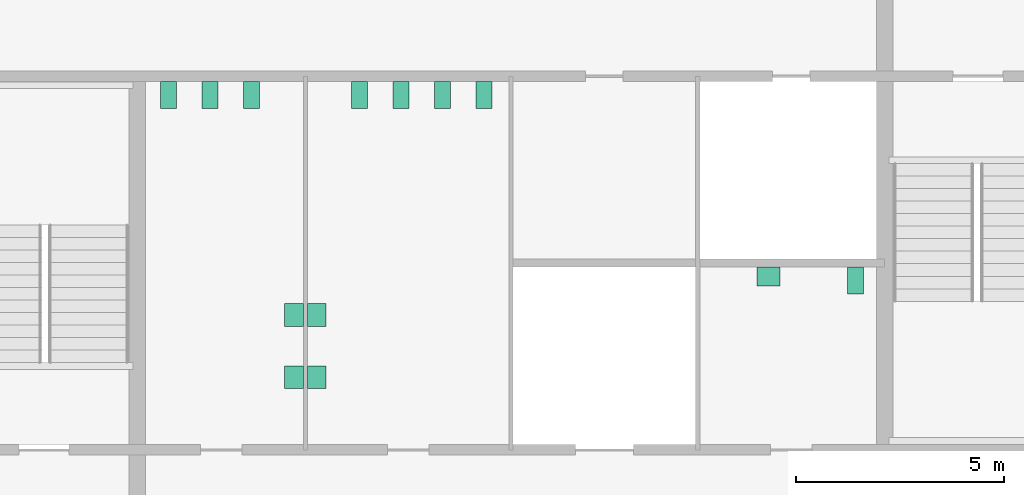
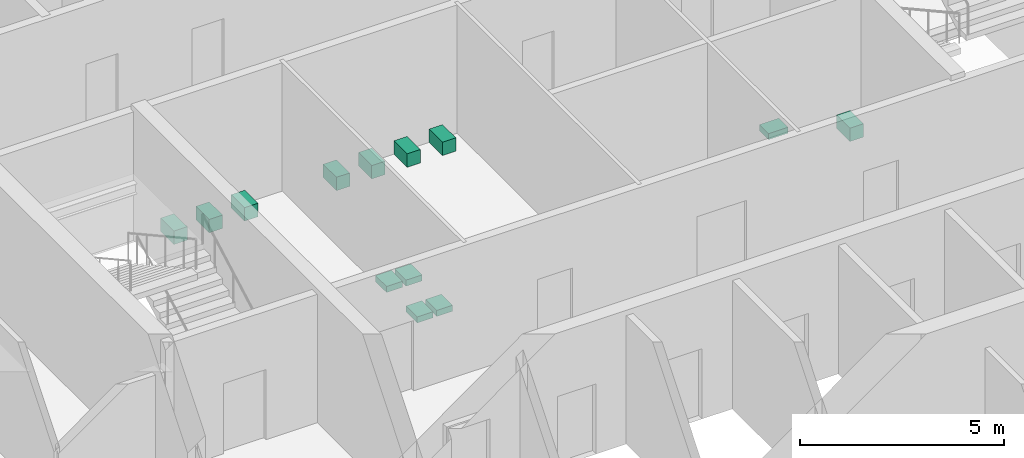
# One storey, part 12 of 12: 13 sanitary terminals.
"""IFC4 building model written with IfcOpenShell, lengths in metres."""

from ifc_helpers import new_model, si_unit, direction, frame, origin, origin_2d, place, context, subcontext, project, spatial, rectangle, extrude, material, type_object, element, save


model = new_model("IFC4")

# Units and contexts
model_context = context("Model", 3, precision=1e-05, world=origin(), true_north=direction((0.0, 1.0)))
body_context = subcontext(model_context, "Body", "Model", "MODEL_VIEW")
ifc_project = project(units=[si_unit("LENGTHUNIT", "METRE"), si_unit("AREAUNIT", "SQUARE_METRE"), si_unit("VOLUMEUNIT", "CUBIC_METRE"), si_unit("PLANEANGLEUNIT", "RADIAN"), si_unit("MASSUNIT", "GRAM", prefix="KILO")], contexts=[model_context])

# Site, building, storey
site_placement = place(None, origin())
site = spatial("IfcSite", under=ifc_project, at=site_placement, CompositionType="ELEMENT")
building_placement = place(site_placement, origin())
building = spatial("IfcBuilding", under=site, at=building_placement, Name="Corais Broadcast Tower", CompositionType="ELEMENT")
storey_placement = place(building_placement, frame((0.0, 0.0, 135.60009765625)))
storey = spatial("IfcBuildingStorey", under=building, at=storey_placement, Name="L30", CompositionType="ELEMENT", Elevation=135.60009765625)

# Sanitary terminals
ifc_material_1 = material(Name="Vitreous china", Category="ceramic")
sanitary_terminal_type_1 = type_object("IfcSanitaryTerminalType", Name="WC pan 380x650", PredefinedType="TOILETPAN", material=ifc_material_1)
for number, where, z_axis, x_axis, name in (
    (1, (18.75, 31.050048828125, 0.0), (0.0, 0.0, 1.0), (1.0, 0.0, 0.0), "SW1 WC pan, male toilets L30"),
    (2, (19.75, 31.050048828125, 0.0), (0.0, 0.0, 1.0), (1.0, 0.0, 0.0), "SW1 WC pan, male toilets L30"),
    (3, (20.75, 31.050048828125, 0.0), (0.0, 0.0, 1.0), (1.0, 0.0, 0.0), "SW1 WC pan, male toilets L30"),
    (4, (23.35009765625, 31.050048828125, 0.0), (0.0, 0.0, 1.0), (1.0, 0.0, 0.0), "SW1 WC pan, female toilets L30"),
    (5, (24.35009765625, 31.050048828125, 0.0), (0.0, 0.0, 1.0), (1.0, 0.0, 0.0), "SW1 WC pan, female toilets L30"),
    (6, (25.35009765625, 31.050048828125, 0.0), (0.0, 0.0, 1.0), (1.0, 0.0, 0.0), "SW1 WC pan, female toilets L30"),
    (7, (26.35009765625, 31.050048828125, 0.0), (0.0, 0.0, 1.0), (1.0, 0.0, 0.0), "SW1 WC pan, female toilets L30"),
    (8, (35.300048828125, 26.574951171875, 0.0), (0.0, 0.0, 1.0), (1.0, 0.0, 0.0), "SW1 WC pan, accessible WC L30"),
):
    element("IfcSanitaryTerminal", number, at=place(storey_placement, frame(where, z_axis=z_axis, x_axis=x_axis)), inside=storey, type_object=sanitary_terminal_type_1, Name=name, PredefinedType="TOILETPAN", context=body_context, shape_type="SweptSolid", body=[
        extrude(rectangle(XDim=0.3798828125, YDim=0.64990234375, at=origin_2d()), origin(), (0.0, 0.0, 1.0), 0.39990234375),
    ])
ifc_material_2 = material(Name="Vitreous china", Category="ceramic")
sanitary_terminal_type_2 = type_object("IfcSanitaryTerminalType", Name="Wash basin 550x450", PredefinedType="WASHHANDBASIN", material=ifc_material_2)
for number, where, z_axis, x_axis, name in (
    (9, (21.77490234375, 24.25, 0.69970703125), (0.0, 0.0, 1.0), (1.0, 0.0, 0.0), "WB1 wash basin, male toilets L30"),
    (10, (21.77490234375, 25.75, 0.69970703125), (0.0, 0.0, 1.0), (1.0, 0.0, 0.0), "WB1 wash basin, male toilets L30"),
    (11, (22.324951171875, 24.25, 0.69970703125), (0.0, 0.0, 1.0), (1.0, 0.0, 0.0), "WB1 wash basin, female toilets L30"),
    (12, (22.324951171875, 25.75, 0.69970703125), (0.0, 0.0, 1.0), (1.0, 0.0, 0.0), "WB1 wash basin, female toilets L30"),
):
    element("IfcSanitaryTerminal", number, at=place(storey_placement, frame(where, z_axis=z_axis, x_axis=x_axis)), inside=storey, type_object=sanitary_terminal_type_2, Name=name, PredefinedType="WASHHANDBASIN", context=body_context, shape_type="SweptSolid", body=[
        extrude(rectangle(XDim=0.449951171875, YDim=0.550048828125, at=origin_2d()), origin(), (0.0, 0.0, 1.0), 0.179931640625),
    ])
sanitary_terminal_placement = place(storey_placement, frame((33.199951171875, 26.675048828125, 0.69970703125), z_axis=(0.0, 0.0, 1.0), x_axis=(1.0, 0.0, 0.0)))
element("IfcSanitaryTerminal", 13, at=sanitary_terminal_placement, inside=storey, type_object=sanitary_terminal_type_2, Name="WB1 wash basin, accessible WC L30", PredefinedType="WASHHANDBASIN", context=body_context, shape_type="SweptSolid", body=[
    extrude(rectangle(XDim=0.550048828125, YDim=0.449951171875, at=origin_2d()), origin(), (0.0, 0.0, 1.0), 0.179931640625),
])

save(model, "model.ifc")
